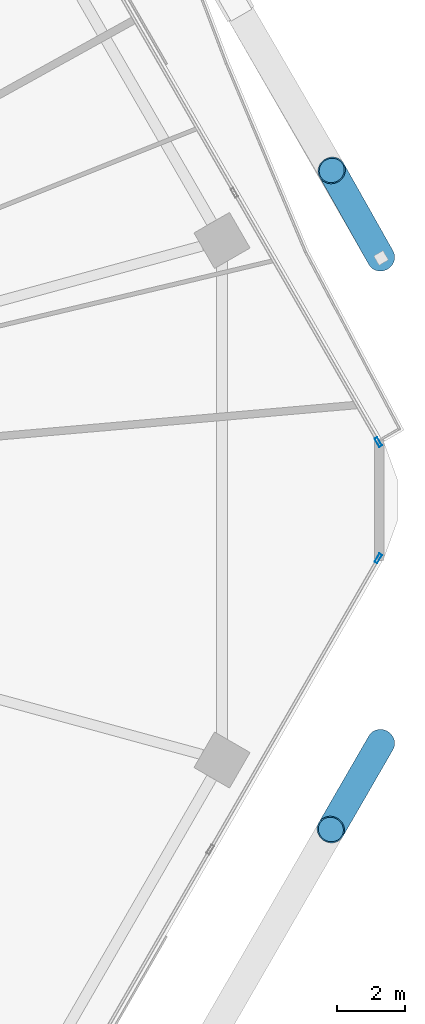
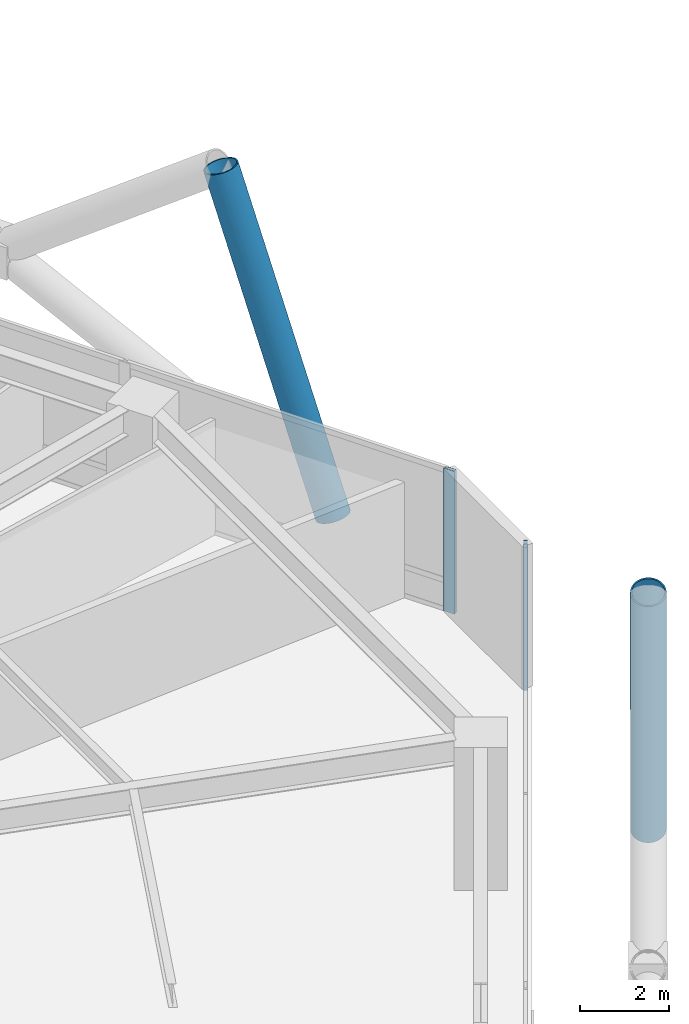
# One storey, part 23 of 31: 4 members, 2 elements without a shape of their own.
"""IFC4 building model written with IfcOpenShell, lengths in metres."""

from ifc_helpers import new_model, si_unit, direction, frame, origin, origin_2d, place, context, subcontext, project, spatial, hollow_rectangle, hollow_circle, extrude, material, material_profile, profile_set, type_object, element, aggregate, save


model = new_model("IFC4")

# Units and contexts
model_context = context("Model", 3, precision=1e-05, world=origin(), true_north=direction((0.0, 1.0)))
body_context = subcontext(model_context, "Body", "Model", "MODEL_VIEW")
ifc_project = project(units=[si_unit("LENGTHUNIT", "METRE"), si_unit("AREAUNIT", "SQUARE_METRE"), si_unit("VOLUMEUNIT", "CUBIC_METRE"), si_unit("PLANEANGLEUNIT", "RADIAN"), si_unit("MASSUNIT", "GRAM", prefix="KILO")], contexts=[model_context])

# Site, building, storey
site_placement = place(None, origin())
site = spatial("IfcSite", under=ifc_project, at=site_placement, CompositionType="ELEMENT")
building_placement = place(site_placement, origin())
building = spatial("IfcBuilding", under=site, at=building_placement, Name="Zuhravey Tower", CompositionType="ELEMENT")
storey_placement = place(building_placement, frame((0.0, 0.0, 7.800048828125)))
storey = spatial("IfcBuildingStorey", under=building, at=storey_placement, Name="L02", CompositionType="ELEMENT", Elevation=7.800048828125)

# Curtain wall, member
ifc_material_1 = material(Name="Thermally broken anodised aluminium", Category="aluminium")
curtain_wall_type = type_object("IfcCurtainWallType", Name="School Low-E Unitised Curtain Wall CW1", PredefinedType="NOTDEFINED", material=ifc_material_1)
curtain_wall_1_placement = place(storey_placement, origin())
curtain_wall_1 = element("IfcCurtainWall", 1, at=curtain_wall_1_placement, inside=storey, type_object=curtain_wall_type, Name="L02 CW1 CW-L02-F6-1", PredefinedType="NOTDEFINED")
ifc_material_2 = material(Name="Anodised aluminium", Category="aluminium")
ifc_material_profile_1 = material_profile(ifc_material_2, hollow_rectangle(XDim=0.090087890625, YDim=0.284912109375, WallThickness=0.0048828125, at=origin_2d()), Name="ALU-RHS-90x285x5")
ifc_profile_set_1 = profile_set([ifc_material_profile_1], Name="Anodised aluminium")
member_type_1 = type_object("IfcMemberType", Name="Curtain-Wall Mullion 90x180", PredefinedType="MULLION", material=ifc_profile_set_1)
member_1_placement = place(storey_placement, frame((68.4560546875, 30.298583984375, 0.0), z_axis=(0.0, 0.0, 1.0), x_axis=(0.86602552265, -0.499999794119, 0.0)))
member_1 = element("IfcMember", 2, at=member_1_placement, type_object=member_type_1, Name="CW1 mullion 1", PredefinedType="MULLION", context=body_context, shape_type="SweptSolid", body=[
    extrude(hollow_rectangle(XDim=0.090087890625, YDim=0.284912109375, WallThickness=0.0048828125, at=origin_2d()), origin(), (0.0, 0.0, 1.0), 3.919921875),
])
aggregate(curtain_wall_1, [member_1])

curtain_wall_2_placement = place(storey_placement, origin())
curtain_wall_2 = element("IfcCurtainWall", 3, at=curtain_wall_2_placement, inside=storey, type_object=curtain_wall_type, Name="L02 CW1 CW-L02-F1-2", PredefinedType="NOTDEFINED")
member_2_placement = place(storey_placement, frame((68.4560546875, 33.701416015625, 0.0), z_axis=(0.0, 0.0, 1.0), x_axis=(0.866025508574, 0.499999818499, 0.0)))
member_2 = element("IfcMember", 4, at=member_2_placement, type_object=member_type_1, Name="CW1 mullion 3", PredefinedType="MULLION", context=body_context, shape_type="SweptSolid", body=[
    extrude(hollow_rectangle(XDim=0.090087890625, YDim=0.284912109375, WallThickness=0.0048828125, at=origin_2d()), origin(), (0.0, 0.0, 1.0), 3.919921875),
])
aggregate(curtain_wall_2, [member_2])

# Members
ifc_material_3 = material(Name="Steel SM460", Category="steel")
ifc_material_profile_2 = material_profile(ifc_material_3, hollow_circle(Radius=0.406494140625, WallThickness=0.035888671875, at=origin_2d()), Name="CHS-812.8x36")
ifc_profile_set_2 = profile_set([ifc_material_profile_2], Name="Steel SM460")
member_type_2 = type_object("IfcMemberType", Name="Exoskeleton Zone 1 Diagrid CHS813x36", PredefinedType="BRACE", material=ifc_profile_set_2)
for number, where, z_axis, x_axis, name in (
    (5, (68.53369140625, 39.087158203125, -0.64208984375), (-0.159512980897, 0.282925655591, 0.945784691319), (-0.871091893966, -0.491120058913, 0.0), "L02 Face 1 Diagrid Brace 1"),
    (6, (68.53369140625, 24.912841796875, -0.64208984375), (-0.162411926746, -0.281248600844, 0.945791515385), (0.865981440664, -0.500076138629, 0.0), "L02 Face 6 Diagrid Brace 4"),
):
    element("IfcMember", number, at=place(storey_placement, frame(where, z_axis=z_axis, x_axis=x_axis)), inside=storey, type_object=member_type_2, Name=name, PredefinedType="BRACE", context=body_context, shape_type="SweptSolid", body=[
        extrude(hollow_circle(Radius=0.406494140625, WallThickness=0.035888671875, at=origin_2d()), origin(), (0.0, 0.0, 1.0), 9.014892578125),
    ])

save(model, "model.ifc")
